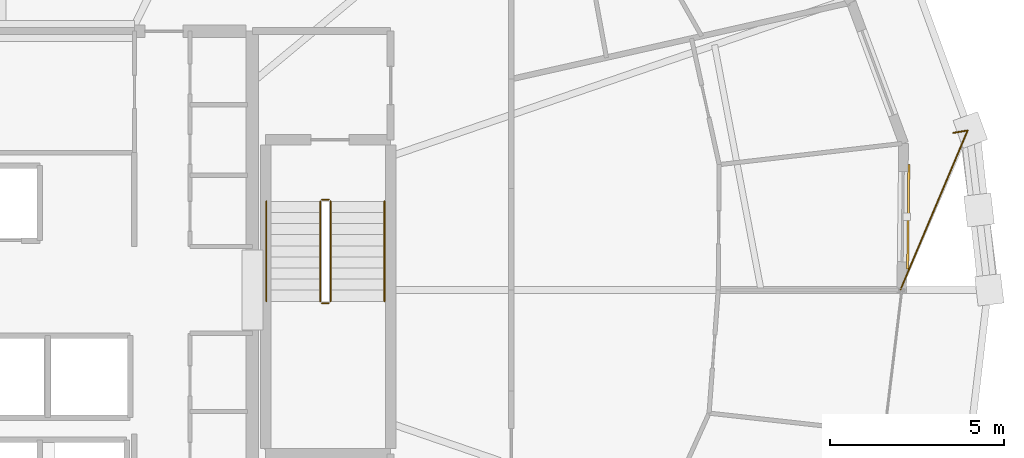
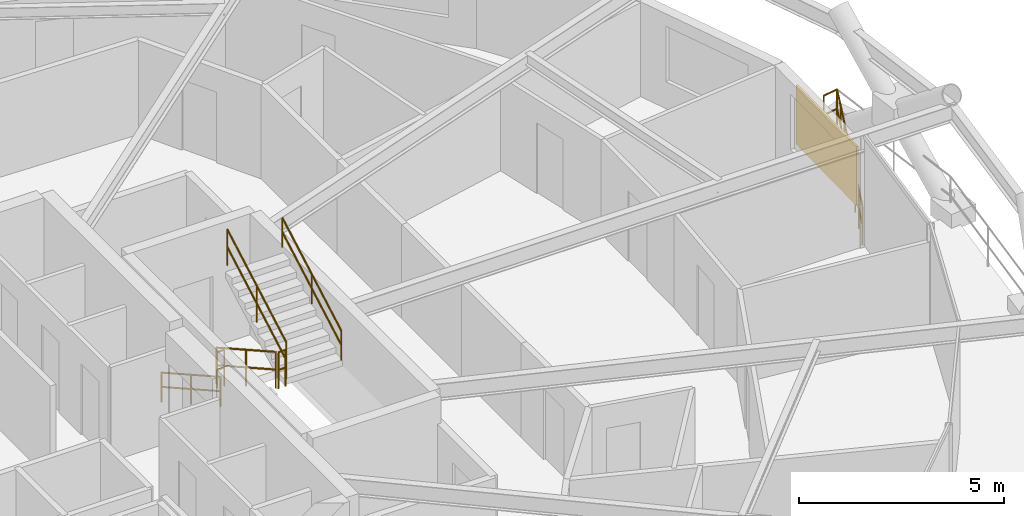
# One storey, part 21 of 21: 7 railings, 1 shading device.
"""IFC4 building model written with IfcOpenShell, lengths in metres."""

from ifc_helpers import new_model, si_unit, direction, frame, origin, origin_2d, place, context, subcontext, project, spatial, rectangle, circle, extrude, material, layer, layer_set, type_object, element, save


model = new_model("IFC4")

# Units and contexts
model_context = context("Model", 3, precision=1e-05, world=origin(), true_north=direction((0.0, 1.0)))
body_context = subcontext(model_context, "Body", "Model", "MODEL_VIEW")
ifc_project = project(units=[si_unit("LENGTHUNIT", "METRE"), si_unit("AREAUNIT", "SQUARE_METRE"), si_unit("VOLUMEUNIT", "CUBIC_METRE"), si_unit("PLANEANGLEUNIT", "RADIAN"), si_unit("MASSUNIT", "GRAM", prefix="KILO")], contexts=[model_context])

# Site, building, storey
site_placement = place(None, origin())
site = spatial("IfcSite", under=ifc_project, at=site_placement, CompositionType="ELEMENT")
building_placement = place(site_placement, origin())
building = spatial("IfcBuilding", under=site, at=building_placement, Name="Veldorina Hangang Commons", CompositionType="ELEMENT")
storey_placement = place(building_placement, frame((0.0, 0.0, 142.39990234375)))
storey = spatial("IfcBuildingStorey", under=building, at=storey_placement, Name="L36", CompositionType="ELEMENT", Elevation=142.39990234375)

# Railings
ifc_material_1 = material(Name="Glass Laminated Safety Balustrade", Category="glass")
railing_type_1 = type_object("IfcRailingType", Name="RL-BAL-LOGGIA", PredefinedType="BALUSTRADE", material=ifc_material_1)
railing_1_placement = place(storey_placement, frame((59.375244140625, 28.520751953125, 0.0)))
element("IfcRailing", 1, at=railing_1_placement, inside=storey, type_object=railing_type_1, Name="L36 sky-garden loggia end balustrade B", PredefinedType="BALUSTRADE", context=body_context, shape_type="SweptSolid", body=[
    extrude(circle(Radius=0.02392578125, at=origin_2d()), frame((0.0, 0.0, 1.17578125), z_axis=(0.986675153509, 0.162702616598, 0.0), x_axis=(-0.162702616598, 0.986675153509, 0.0)), (0.0, 0.0, 1.0), 0.420166015625),
    extrude(circle(Radius=0.02392578125, at=origin_2d()), frame((0.0, 0.0, 0.60009765625), z_axis=(0.986675153509, 0.162702616598, 0.0), x_axis=(-0.162702616598, 0.986675153509, 0.0)), (0.0, 0.0, 1.0), 0.420166015625),
    extrude(circle(Radius=0.02392578125, at=origin_2d()), frame((0.41455078125, 0.068359375, 1.17578125), z_axis=(-0.388576312771, -0.921416544866, 0.0), x_axis=(0.921416544866, -0.388576312771, 0.0)), (0.0, 0.0, 1.0), 4.98046875),
    extrude(circle(Radius=0.02392578125, at=origin_2d()), frame((0.41455078125, 0.068359375, 0.60009765625), z_axis=(-0.388576312771, -0.921416544866, 0.0), x_axis=(0.921416544866, -0.388576312771, 0.0)), (0.0, 0.0, 1.0), 4.98046875),
    extrude(circle(Radius=0.02099609375, at=origin_2d()), origin(), (0.0, 0.0, 1.0), 1.15185546875),
    extrude(circle(Radius=0.02099609375, at=origin_2d()), frame((0.41455078125, 0.068359375, 0.0)), (0.0, 0.0, 1.0), 1.15185546875),
    extrude(circle(Radius=0.02099609375, at=origin_2d()), frame((0.13818359375, -0.587158203125, 0.0)), (0.0, 0.0, 1.0), 1.15185546875),
    extrude(circle(Radius=0.02099609375, at=origin_2d()), frame((-0.138427734375, -1.242919921875, 0.0)), (0.0, 0.0, 1.0), 1.15185546875),
    extrude(circle(Radius=0.02099609375, at=origin_2d()), frame((-0.414794921875, -1.8984375, 0.0)), (0.0, 0.0, 1.0), 1.15185546875),
    extrude(circle(Radius=0.02099609375, at=origin_2d()), frame((-0.69140625, -2.553955078125, 0.0)), (0.0, 0.0, 1.0), 1.15185546875),
    extrude(circle(Radius=0.02099609375, at=origin_2d()), frame((-0.9677734375, -3.20947265625, 0.0)), (0.0, 0.0, 1.0), 1.15185546875),
    extrude(circle(Radius=0.02099609375, at=origin_2d()), frame((-1.244384765625, -3.865234375, 0.0)), (0.0, 0.0, 1.0), 1.15185546875),
    extrude(circle(Radius=0.02099609375, at=origin_2d()), frame((-1.520751953125, -4.520751953125, 0.0)), (0.0, 0.0, 1.0), 1.15185546875),
])
ifc_material_2 = material(Name="Steel Painted Balustrade", Category="steel")
railing_type_2 = type_object("IfcRailingType", Name="RL-GRD-STAIR", PredefinedType="GUARDRAIL", material=ifc_material_2)
railing_2_placement = place(storey_placement, frame((41.14990234375, 26.550048828125, 0.18017578125)))
element("IfcRailing", 2, at=railing_2_placement, inside=storey, type_object=railing_type_2, Name="L36 ST-2 stair guard 1", PredefinedType="GUARDRAIL", context=body_context, shape_type="SweptSolid", body=[
    extrude(circle(Radius=0.02392578125, at=origin_2d()), frame((0.0, 0.0, 1.076171875), z_axis=(0.0, -0.871601186807, 0.490215637405), x_axis=(1.0, 0.0, 0.0)), (0.0, 0.0, 1.0), 3.304443359375),
    extrude(circle(Radius=0.02392578125, at=origin_2d()), frame((0.0, 0.0, 0.550048828125), z_axis=(0.0, -0.871601186807, 0.490215637405), x_axis=(1.0, 0.0, 0.0)), (0.0, 0.0, 1.0), 3.304443359375),
    extrude(circle(Radius=0.02099609375, at=origin_2d()), origin(), (0.0, 0.0, 1.0), 1.052001953125),
    extrude(circle(Radius=0.02099609375, at=origin_2d()), frame((0.0, -1.43994140625, 0.81005859375)), (0.0, 0.0, 1.0), 1.052001953125),
    extrude(circle(Radius=0.02099609375, at=origin_2d()), frame((0.0, -2.880126953125, 1.619873046875)), (0.0, 0.0, 1.0), 1.052001953125),
])
railing_3_placement = place(storey_placement, frame((41.199951171875, 23.6201171875, 1.800048828125)))
element("IfcRailing", 3, at=railing_3_placement, inside=storey, type_object=railing_type_2, Name="L36 ST-2 stair guard 2", PredefinedType="GUARDRAIL", context=body_context, shape_type="SweptSolid", body=[
    extrude(circle(Radius=0.02392578125, at=origin_2d()), frame((0.0, 0.0, 1.076171875), z_axis=(1.0, 0.0, 0.0), x_axis=(0.0, 1.0, 0.0)), (0.0, 0.0, 1.0), 0.199951171875),
    extrude(circle(Radius=0.02392578125, at=origin_2d()), frame((0.0, 0.0, 0.550048828125), z_axis=(1.0, 0.0, 0.0), x_axis=(0.0, 1.0, 0.0)), (0.0, 0.0, 1.0), 0.199951171875),
    extrude(circle(Radius=0.02099609375, at=origin_2d()), origin(), (0.0, 0.0, 1.0), 1.052001953125),
    extrude(circle(Radius=0.02099609375, at=origin_2d()), frame((0.199951171875, 0.0, 0.0)), (0.0, 0.0, 1.0), 1.052001953125),
])
railing_4_placement = place(storey_placement, frame((41.449951171875, 23.669921875, 1.97998046875)))
element("IfcRailing", 4, at=railing_4_placement, inside=storey, type_object=railing_type_2, Name="L36 ST-2 stair guard 3", PredefinedType="GUARDRAIL", context=body_context, shape_type="SweptSolid", body=[
    extrude(circle(Radius=0.02392578125, at=origin_2d()), frame((0.0, 0.0, 1.076171875), z_axis=(0.0, 0.871569617843, 0.490271762652), x_axis=(-1.0, 0.0, 0.0)), (0.0, 0.0, 1.0), 3.304443359375),
    extrude(circle(Radius=0.02392578125, at=origin_2d()), frame((0.0, 0.0, 0.550048828125), z_axis=(0.0, 0.871569617843, 0.490271762652), x_axis=(-1.0, 0.0, 0.0)), (0.0, 0.0, 1.0), 3.304443359375),
    extrude(circle(Radius=0.02099609375, at=origin_2d()), origin(), (0.0, 0.0, 1.0), 1.052001953125),
    extrude(circle(Radius=0.02099609375, at=origin_2d()), frame((0.0, 1.43994140625, 0.81005859375)), (0.0, 0.0, 1.0), 1.052001953125),
    extrude(circle(Radius=0.02099609375, at=origin_2d()), frame((0.0, 2.880126953125, 1.6201171875)), (0.0, 0.0, 1.0), 1.052001953125),
])
railing_5_placement = place(storey_placement, frame((41.199951171875, 26.60009765625, 0.0)))
element("IfcRailing", 5, at=railing_5_placement, inside=storey, type_object=railing_type_2, Name="L36 ST-2 stair guard 4", PredefinedType="GUARDRAIL", context=body_context, shape_type="SweptSolid", body=[
    extrude(circle(Radius=0.02392578125, at=origin_2d()), frame((0.0, 0.0, 1.076171875), z_axis=(1.0, 0.0, 0.0), x_axis=(0.0, 1.0, 0.0)), (0.0, 0.0, 1.0), 0.199951171875),
    extrude(circle(Radius=0.02392578125, at=origin_2d()), frame((0.0, 0.0, 0.550048828125), z_axis=(1.0, 0.0, 0.0), x_axis=(0.0, 1.0, 0.0)), (0.0, 0.0, 1.0), 0.199951171875),
    extrude(circle(Radius=0.02099609375, at=origin_2d()), origin(), (0.0, 0.0, 1.0), 1.052001953125),
    extrude(circle(Radius=0.02099609375, at=origin_2d()), frame((0.199951171875, 0.0, 0.0)), (0.0, 0.0, 1.0), 1.052001953125),
])
ifc_material_3 = material(Name="Stainless Steel Brushed 316", Category="steel")
railing_type_3 = type_object("IfcRailingType", Name="RL-HND-STAIR", PredefinedType="HANDRAIL", material=ifc_material_3)
railing_6_placement = place(storey_placement, frame((39.60009765625, 26.550048828125, 0.18017578125)))
element("IfcRailing", 6, at=railing_6_placement, inside=storey, type_object=railing_type_3, Name="L36 ST-2 stair handrail 1", PredefinedType="HANDRAIL", context=body_context, shape_type="SweptSolid", body=[
    extrude(circle(Radius=0.02392578125, at=origin_2d()), frame((0.0, 0.0, 0.8759765625), z_axis=(0.0, -0.871601186807, 0.490215637405), x_axis=(1.0, 0.0, 0.0)), (0.0, 0.0, 1.0), 3.304443359375),
    extrude(circle(Radius=0.02392578125, at=origin_2d()), frame((0.0, 0.0, 0.449951171875), z_axis=(0.0, -0.871601186807, 0.490215637405), x_axis=(1.0, 0.0, 0.0)), (0.0, 0.0, 1.0), 3.304443359375),
    extrude(circle(Radius=0.02099609375, at=origin_2d()), origin(), (0.0, 0.0, 1.0), 0.851806640625),
    extrude(circle(Radius=0.02099609375, at=origin_2d()), frame((0.0, -1.43994140625, 0.81005859375)), (0.0, 0.0, 1.0), 0.851806640625),
    extrude(circle(Radius=0.02099609375, at=origin_2d()), frame((0.0, -2.880126953125, 1.619873046875)), (0.0, 0.0, 1.0), 0.851806640625),
])
railing_7_placement = place(storey_placement, frame((43.0, 23.669921875, 1.97998046875)))
element("IfcRailing", 7, at=railing_7_placement, inside=storey, type_object=railing_type_3, Name="L36 ST-2 stair handrail 2", PredefinedType="HANDRAIL", context=body_context, shape_type="SweptSolid", body=[
    extrude(circle(Radius=0.02392578125, at=origin_2d()), frame((0.0, 0.0, 0.8759765625), z_axis=(0.0, 0.871569617843, 0.490271762652), x_axis=(-1.0, 0.0, 0.0)), (0.0, 0.0, 1.0), 3.304443359375),
    extrude(circle(Radius=0.02392578125, at=origin_2d()), frame((0.0, 0.0, 0.449951171875), z_axis=(0.0, 0.871569617843, 0.490271762652), x_axis=(-1.0, 0.0, 0.0)), (0.0, 0.0, 1.0), 3.304443359375),
    extrude(circle(Radius=0.02099609375, at=origin_2d()), origin(), (0.0, 0.0, 1.0), 0.851806640625),
    extrude(circle(Radius=0.02099609375, at=origin_2d()), frame((0.0, 1.43994140625, 0.81005859375)), (0.0, 0.0, 1.0), 0.851806640625),
    extrude(circle(Radius=0.02099609375, at=origin_2d()), frame((0.0, 2.880126953125, 1.6201171875)), (0.0, 0.0, 1.0), 0.851806640625),
])

# Shading device
ifc_material_4 = material(Name="Ceramic Glazed Terracotta", Category="masonry")
ifc_layer = layer(ifc_material_4, 0.06005859375)
ifc_layer_set = layer_set([ifc_layer], Name="Ceramic Glazed Terracotta")
shading_device_type = type_object("IfcShadingDeviceType", Name="SCR-CER-3000", PredefinedType="USERDEFINED", material=ifc_layer_set)
shading_device_placement = place(storey_placement, frame((58.080322265625, 26.10791015625, 0.75), z_axis=(0.0, 0.0, 1.0), x_axis=(0.012251904808, 0.999924942597, 0.0)))
element("IfcShadingDevice", 8, at=shading_device_placement, inside=storey, type_object=shading_device_type, Name="L36 PERFORATED CERAMIC SOLAR SCREEN 00", ObjectType="SCREEN", PredefinedType="USERDEFINED", context=body_context, shape_type="SweptSolid", body=[
    extrude(rectangle(XDim=3.0, YDim=0.06005859375, at=origin_2d()), origin(), (0.0, 0.0, 1.0), 1.75),
])

save(model, "model.ifc")
